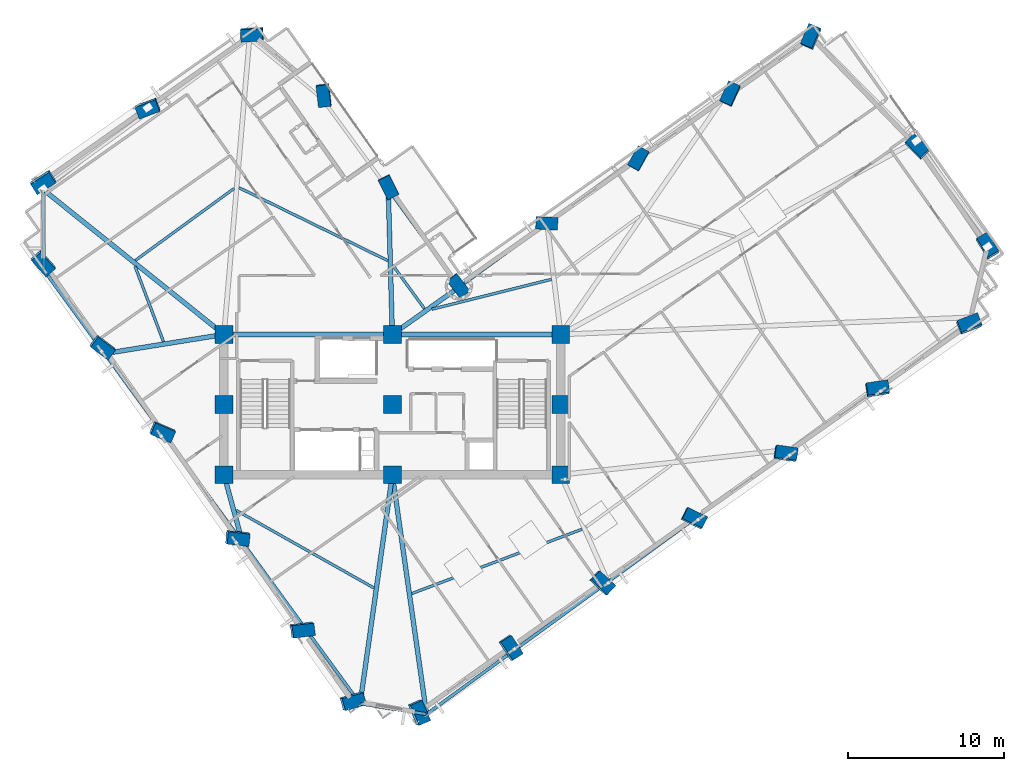
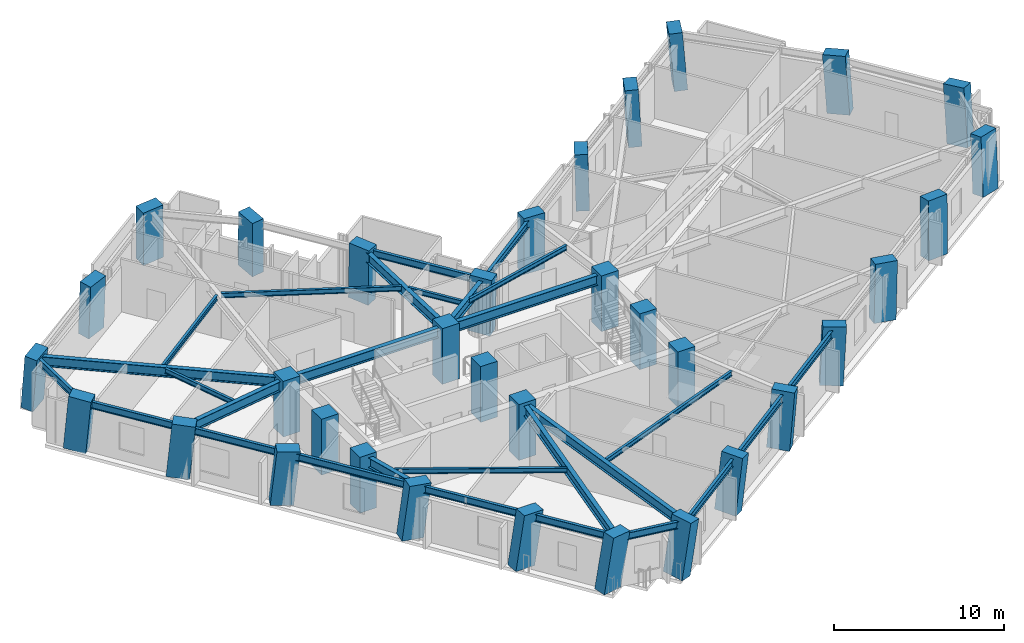
# One storey, part 1 of 13: 34 columns, 28 beams.
"""IFC4 building model written with IfcOpenShell, lengths in metres."""

import ifcopenshell
import ifcopenshell.guid

model = None  # the IFC model being written
_history = None  # IfcOwnerHistory: only IFC2X3 demands one
_inside = {}  # id of a spatial element -> (the spatial element, [elements in it])
_under = {}  # id of a project, library or spatial element -> (it, [spatial elements below it])
_declared = {}  # id of a project -> (the project, [libraries it declares])
_typed = {}  # id of a type object -> (the type object, [elements of that type])
_made_of = {}  # id of a material, layer set ... -> (it, [elements and type objects made of it])


def new_model(schema):
    """Start an empty IFC model of exactly this schema.

    Asked for "IFC4X3", IfcOpenShell would pick the latest addendum, in which some entities
    have other attributes; the version numbers below select the first issue.
    IFC2X3 requires an IfcOwnerHistory on every rooted entity: one is made here for all.
    """
    global model, _history
    if schema == "IFC4X3":
        model = ifcopenshell.file(schema_version=(4, 3, 0, 0))
    else:
        model = ifcopenshell.file(schema=schema)
    _inside.clear()
    _under.clear()
    _declared.clear()
    _typed.clear()
    _made_of.clear()
    _history = None
    if model.schema == "IFC2X3":
        org = make("IfcOrganization", Name="unknown")
        user = make(
            "IfcPersonAndOrganization",
            ThePerson=make("IfcPerson", FamilyName="unknown"),
            TheOrganization=org,
        )
        app = make(
            "IfcApplication",
            ApplicationDeveloper=org,
            Version="unknown",
            ApplicationFullName="unknown",
            ApplicationIdentifier="unknown",
        )
        _history = make(
            "IfcOwnerHistory",
            OwningUser=user,
            OwningApplication=app,
            ChangeAction="ADDED",
            CreationDate=0,
        )
    return model


def make(cls, **values):
    """One entity of the class cls with the attributes given. An attribute that is None is left unset."""
    return model.create_entity(
        cls, **{name: value for name, value in values.items() if value is not None}
    )


def rooted(cls, **values):
    """An entity with a GlobalId (a new one), such as an element, a storey or a relation."""
    return make(cls, GlobalId=ifcopenshell.guid.new(), OwnerHistory=_history, **values)


def si_unit(unit_type, name, prefix=None):
    """IfcSIUnit, for example si_unit("LENGTHUNIT", "METRE", prefix="MILLI")."""
    return make("IfcSIUnit", UnitType=unit_type, Prefix=prefix, Name=name)


def assignment(units):
    """IfcUnitAssignment: the units of a project."""
    return None if units is None else make("IfcUnitAssignment", Units=units)


def point(xyz):
    """IfcCartesianPoint."""
    return None if xyz is None else make("IfcCartesianPoint", Coordinates=xyz)


def direction(xyz):
    """IfcDirection."""
    return None if xyz is None else make("IfcDirection", DirectionRatios=xyz)


def frame(location, z_axis=None, x_axis=None):
    """IfcAxis2Placement3D, a coordinate frame: its origin and axes. An axis left out is left unset."""
    return make(
        "IfcAxis2Placement3D",
        Location=point(location),
        Axis=direction(z_axis),
        RefDirection=direction(x_axis),
    )


def frame_2d(location, x_axis=None):
    """IfcAxis2Placement2D, a coordinate frame in the plane: its origin and x axis."""
    return make(
        "IfcAxis2Placement2D", Location=point(location), RefDirection=direction(x_axis)
    )


def origin():
    """The frame at (0, 0, 0) with its axes left unset."""
    return frame((0.0, 0.0, 0.0))


def origin_2d():
    """The frame at (0, 0) in the plane with its x axis left unset."""
    return frame_2d((0.0, 0.0))


def place(relative_to, where):
    """IfcLocalPlacement: puts the frame where relative to a parent placement (None: the world)."""
    return make(
        "IfcLocalPlacement", PlacementRelTo=relative_to, RelativePlacement=where
    )


def context(
    kind, dimensions, precision=None, world=None, true_north=None, identifier=None
):
    """IfcGeometricRepresentationContext, for example the 3D "Model" context."""
    return make(
        "IfcGeometricRepresentationContext",
        ContextIdentifier=identifier,
        ContextType=kind,
        CoordinateSpaceDimension=dimensions,
        Precision=precision,
        WorldCoordinateSystem=world,
        TrueNorth=true_north,
    )


def subcontext(parent, identifier, kind, view, scale=None):
    """IfcGeometricRepresentationSubContext, for example "Body" below "Model"."""
    return make(
        "IfcGeometricRepresentationSubContext",
        ContextIdentifier=identifier,
        ContextType=kind,
        ParentContext=parent,
        TargetScale=scale,
        TargetView=view,
    )


def project(units=None, contexts=None):
    """IfcProject with its units and contexts."""
    return rooted(
        "IfcProject",
        Name="project",
        RepresentationContexts=contexts,
        UnitsInContext=assignment(units),
    )


def spatial(cls, under=None, at=None, **own):
    """A site, building, storey or space (cls), placed at a placement, below another one or the project."""
    s = rooted(cls, ObjectPlacement=at, **own)
    if under is not None:
        _under.setdefault(under.id(), (under, []))[1].append(s)
    return s


def profile(cls, at=None, kind="AREA", **sizes):
    """A parametric profile (cls). Its sizes go by their IFC names, for example OverallWidth=200.0."""
    return make(cls, ProfileType=kind, Position=at, **sizes)


def rectangle(**sizes):
    """IfcRectangleProfileDef."""
    return profile("IfcRectangleProfileDef", **sizes)


def i_section(**sizes):
    """IfcIShapeProfileDef."""
    return profile("IfcIShapeProfileDef", **sizes)


def extrude(swept, where, along, depth):
    """IfcExtrudedAreaSolid: the profile swept, set in the frame where, extruded along a direction by depth."""
    return make(
        "IfcExtrudedAreaSolid",
        SweptArea=swept,
        Position=where,
        ExtrudedDirection=direction(along),
        Depth=depth,
    )


def shape(context_of_items, identifier, shape_type, items):
    """IfcShapeRepresentation: the items that make up one representation, for example the "Body"."""
    return make(
        "IfcShapeRepresentation",
        ContextOfItems=context_of_items,
        RepresentationIdentifier=identifier,
        RepresentationType=shape_type,
        Items=items,
    )


def material(Name=None, Category=None):
    """IfcMaterial."""
    return make("IfcMaterial", Name=Name, Category=Category)


def material_profile(
    of_material, cross_section, Name=None, Category=None, Priority=None
):
    """IfcMaterialProfile: a cross section and its material."""
    return make(
        "IfcMaterialProfile",
        Name=Name,
        Material=of_material,
        Profile=cross_section,
        Priority=Priority,
        Category=Category,
    )


def profile_set(profiles, Name=None, composite=None):
    """IfcMaterialProfileSet."""
    return make(
        "IfcMaterialProfileSet",
        Name=Name,
        MaterialProfiles=profiles,
        CompositeProfile=composite,
    )


def made_of(thing, what):
    """Note that an element or type object is made of a material, layer set ...; save() writes the relation."""
    if what is not None:
        _made_of.setdefault(what.id(), (what, []))[1].append(thing)
    return thing


def type_object(cls, material=None, **own):
    """A type object (cls), such as IfcWallType, which elements share."""
    return made_of(rooted(cls, **own), material)


def element(
    cls,
    number,
    at=None,
    inside=None,
    cuts=None,
    type_object=None,
    material=None,
    context=None,
    identifier="Body",
    shape_type=None,
    held_by="IfcProductDefinitionShape",
    body=None,
    shapes=None,
    **own,
):
    """One element of the class cls, such as IfcWall. Its Tag is "e" and its number.

    at: its placement. inside: the storey or other place that contains it. cuts: it is an
    opening in that element (IfcRelVoidsElement). A single representation is given by context,
    identifier, shape_type and body (its items); several are given by shapes. held_by: the class
    of the entity that holds the representations. save() writes the other relations.
    """
    e = rooted(cls, Tag="e%d" % number, ObjectPlacement=at, **own)
    if body is not None:
        shapes = [shape(context, identifier, shape_type, body)]
    if shapes is not None:
        e.Representation = make(held_by, Representations=shapes)
    if inside is not None:
        _inside.setdefault(inside.id(), (inside, []))[1].append(e)
    if cuts is not None:
        rooted(
            "IfcRelVoidsElement", RelatingBuildingElement=cuts, RelatedOpeningElement=e
        )
    if type_object is not None:
        _typed.setdefault(type_object.id(), (type_object, []))[1].append(e)
    return made_of(e, material)


def aggregate(whole, parts):
    """IfcRelAggregates: a whole, such as a stair, and the parts it consists of."""
    return rooted("IfcRelAggregates", RelatingObject=whole, RelatedObjects=parts)


def save(model, path):
    """Write the relations noted so far, then the file.

    IfcRelAggregates (storeys below a building ...), IfcRelContainedInSpatialStructure (elements
    in a storey), IfcRelDefinesByType, IfcRelAssociatesMaterial and IfcRelDeclares: one each for
    every whole, place, type object, material and project.
    """
    for whole, parts in _under.values():
        aggregate(whole, parts)
    for where, things in _inside.values():
        rooted(
            "IfcRelContainedInSpatialStructure",
            RelatedElements=things,
            RelatingStructure=where,
        )
    for kind, things in _typed.values():
        rooted("IfcRelDefinesByType", RelatedObjects=things, RelatingType=kind)
    for what, things in _made_of.values():
        rooted("IfcRelAssociatesMaterial", RelatedObjects=things, RelatingMaterial=what)
    for by, libraries in _declared.values():
        rooted("IfcRelDeclares", RelatingContext=by, RelatedDefinitions=libraries)
    model.write(path)


model = new_model("IFC4")

# Units and contexts
model_context = context("Model", 3, precision=1e-05, world=origin(), true_north=direction((0.0, 1.0)))
body_context = subcontext(model_context, "Body", "Model", "MODEL_VIEW")
ifc_project = project(units=[si_unit("LENGTHUNIT", "METRE"), si_unit("AREAUNIT", "SQUARE_METRE"), si_unit("VOLUMEUNIT", "CUBIC_METRE"), si_unit("PLANEANGLEUNIT", "RADIAN"), si_unit("MASSUNIT", "GRAM", prefix="KILO")], contexts=[model_context])

# Site, building, storey
site_placement = place(None, origin())
site = spatial("IfcSite", under=ifc_project, at=site_placement, CompositionType="ELEMENT")
building_placement = place(site_placement, origin())
building = spatial("IfcBuilding", under=site, at=building_placement, Name="Gaonmaruhae Medical Tower", CompositionType="ELEMENT")
storey_placement = place(building_placement, frame((0.0, 0.0, 173.800048828125)))
storey = spatial("IfcBuildingStorey", under=building, at=storey_placement, Name="L41", CompositionType="ELEMENT", Elevation=173.800048828125)

# Columns
ifc_material_1 = material(Name="Concrete C50/60", Category="concrete")
ifc_material_profile_1 = material_profile(ifc_material_1, rectangle(XDim=1.14990234375, YDim=1.14990234375, at=origin_2d()), Name="RC-1150x1150")
ifc_profile_set_1 = profile_set([ifc_material_profile_1], Name="Concrete C50/60")
column_type_1 = type_object("IfcColumnType", Name="CC-04 Zone 3 Core Column (RC-1150x1150)", PredefinedType="COLUMN", material=ifc_profile_set_1)
for number, where, z_axis, x_axis, name in (
    (1, (14.0, 7.800048828125, 0.0), (0.0, 0.0, 1.0), (1.0, 0.0, 0.0), "L41 Plumb Core Column CC11"),
    (2, (14.0, 12.300048828125, 0.0), (0.0, 0.0, 1.0), (1.0, 0.0, 0.0), "L41 Plumb Core Column CC12"),
    (3, (14.0, 16.800048828125, 0.0), (0.0, 0.0, 1.0), (1.0, 0.0, 0.0), "L41 Plumb Core Column CC13"),
    (4, (24.800048828125, 7.800048828125, 0.0), (0.0, 0.0, 1.0), (1.0, 0.0, 0.0), "L41 Plumb Core Column CC21"),
    (5, (24.800048828125, 12.300048828125, 0.0), (0.0, 0.0, 1.0), (1.0, 0.0, 0.0), "L41 Plumb Core Column CC22"),
    (6, (24.800048828125, 16.800048828125, 0.0), (0.0, 0.0, 1.0), (1.0, 0.0, 0.0), "L41 Plumb Core Column CC23"),
    (7, (35.60009765625, 7.800048828125, 0.0), (0.0, 0.0, 1.0), (1.0, 0.0, 0.0), "L41 Plumb Core Column CC31"),
    (8, (35.60009765625, 12.300048828125, 0.0), (0.0, 0.0, 1.0), (1.0, 0.0, 0.0), "L41 Plumb Core Column CC32"),
    (9, (35.60009765625, 16.800048828125, 0.0), (0.0, 0.0, 1.0), (1.0, 0.0, 0.0), "L41 Plumb Core Column CC33"),
):
    element("IfcColumn", number, at=place(storey_placement, frame(where, z_axis=z_axis, x_axis=x_axis)), inside=storey, type_object=column_type_1, Name=name, PredefinedType="COLUMN", context=body_context, shape_type="SweptSolid", body=[
        extrude(rectangle(XDim=1.14990234375, YDim=1.14990234375, at=origin_2d()), origin(), (0.0, 0.0, 1.0), 4.0),
    ])
ifc_material_2 = material(Name="Concrete C60/75", Category="concrete")
ifc_material_profile_2 = material_profile(ifc_material_2, rectangle(XDim=1.39990234375, YDim=0.800048828125, at=origin_2d()), Name="RC-1400x800")
ifc_profile_set_2 = profile_set([ifc_material_profile_2], Name="Concrete C60/75")
column_type_2 = type_object("IfcColumnType", Name="TC-02 Mid Raking Tube Pier Column (RC-1400x800)", PredefinedType="COLUMN", material=ifc_profile_set_2)
column_1_placement = place(storey_placement, frame((26.45947265625, -7.440185546875, 0.001708984375), z_axis=(0.132614404743, -0.028266055233, 0.990764578382), x_axis=(-0.38742207787, 0.918591421345, 0.078063654859)))
element("IfcColumn", 10, at=column_1_placement, inside=storey, type_object=column_type_2, Name="L41 Perimeter Tube Column S01", PredefinedType="COLUMN", context=body_context, shape_type="SweptSolid", body=[
    extrude(rectangle(XDim=1.39990234375, YDim=0.800048828125, at=origin_2d()), origin(), (0.0, 0.0, 1.0), 4.03369140625),
])
column_2_placement = place(storey_placement, frame((32.346435546875, -3.294921875, 0.001708984375), z_axis=(0.11571701856, -0.004247609491, 0.993273139388), x_axis=(-0.541468274611, 0.838073885902, 0.066665353516)))
element("IfcColumn", 11, at=column_2_placement, inside=storey, type_object=column_type_2, Name="L41 Perimeter Tube Column S02", PredefinedType="COLUMN", context=body_context, shape_type="SweptSolid", body=[
    extrude(rectangle(XDim=1.39990234375, YDim=0.800048828125, at=origin_2d()), origin(), (0.0, 0.0, 1.0), 4.0234375),
])
column_3_placement = place(storey_placement, frame((38.2333984375, 0.85009765625, 0.001708984375), z_axis=(0.098647418268, 0.01993613875, 0.994922729281), x_axis=(-0.723413215701, 0.687979735835, 0.057941370623)))
element("IfcColumn", 12, at=column_3_placement, inside=storey, type_object=column_type_2, Name="L41 Perimeter Tube Column S03", PredefinedType="COLUMN", context=body_context, shape_type="SweptSolid", body=[
    extrude(rectangle(XDim=1.39990234375, YDim=0.800048828125, at=origin_2d()), origin(), (0.0, 0.0, 1.0), 4.016845703125),
])
column_4_placement = place(storey_placement, frame((44.120361328125, 4.995361328125, 0.001708984375), z_axis=(0.081388904542, 0.044100863821, 0.99570626192), x_axis=(-0.893547683175, 0.445794021134, 0.053293795269)))
element("IfcColumn", 13, at=column_4_placement, inside=storey, type_object=column_type_2, Name="L41 Perimeter Tube Column S04", PredefinedType="COLUMN", context=body_context, shape_type="SweptSolid", body=[
    extrude(rectangle(XDim=1.39990234375, YDim=0.800048828125, at=origin_2d()), origin(), (0.0, 0.0, 1.0), 4.013671875),
])
column_5_placement = place(storey_placement, frame((50.007568359375, 9.140625, 0.001708984375), z_axis=(0.064046562538, 0.068243345838, 0.99561080929), x_axis=(-0.988458606435, 0.14158514562, 0.053881628639)))
element("IfcColumn", 14, at=column_5_placement, inside=storey, type_object=column_type_2, Name="L41 Perimeter Tube Column S05", PredefinedType="COLUMN", context=body_context, shape_type="SweptSolid", body=[
    extrude(rectangle(XDim=1.39990234375, YDim=0.800048828125, at=origin_2d()), origin(), (0.0, 0.0, 1.0), 4.013916015625),
])
column_6_placement = place(storey_placement, frame((55.89453125, 13.285888671875, 0.001708984375), z_axis=(0.046726970601, 0.092299438677, 0.994634306586), x_axis=(-0.988133036877, -0.141582839923, 0.059560061042)))
element("IfcColumn", 15, at=column_6_placement, inside=storey, type_object=column_type_2, Name="L41 Perimeter Tube Column S06", PredefinedType="COLUMN", context=body_context, shape_type="SweptSolid", body=[
    extrude(rectangle(XDim=1.39990234375, YDim=0.800048828125, at=origin_2d()), origin(), (0.0, 0.0, 1.0), 4.017822265625),
])
column_7_placement = place(storey_placement, frame((61.781494140625, 17.43115234375, 0.001708984375), z_axis=(0.029354934383, 0.116206723713, 0.992791158901), x_axis=(-0.932731987806, -0.353906045006, 0.069003987069)))
element("IfcColumn", 16, at=column_7_placement, inside=storey, type_object=column_type_2, Name="L41 Perimeter Tube Column S07", PredefinedType="COLUMN", context=body_context, shape_type="SweptSolid", body=[
    extrude(rectangle(XDim=1.39990234375, YDim=0.800048828125, at=origin_2d()), origin(), (0.0, 0.0, 1.0), 4.025390625),
])
column_8_placement = place(storey_placement, frame((62.971923828125, 22.427490234375, 0.001708984375), z_axis=(0.00879280202, 0.120976827791, 0.992616388022), x_axis=(0.515370311982, -0.851209314245, 0.099177340502)))
element("IfcColumn", 17, at=column_8_placement, inside=storey, type_object=column_type_2, Name="L41 Perimeter Tube Column E01", PredefinedType="COLUMN", context=body_context, shape_type="SweptSolid", body=[
    extrude(rectangle(XDim=1.39990234375, YDim=0.800048828125, at=origin_2d()), origin(), (0.0, 0.0, 1.0), 4.026123046875),
])
column_9_placement = place(storey_placement, frame((58.4814453125, 28.80517578125, 0.001708984375), z_axis=(-0.017377477676, 0.102442053714, 0.994587175114), x_axis=(0.703616146973, -0.705483127216, 0.084958077495)))
element("IfcColumn", 18, at=column_9_placement, inside=storey, type_object=column_type_2, Name="L41 Perimeter Tube Column E02", PredefinedType="COLUMN", context=body_context, shape_type="SweptSolid", body=[
    extrude(rectangle(XDim=1.39990234375, YDim=0.800048828125, at=origin_2d()), origin(), (0.0, 0.0, 1.0), 4.01806640625),
])
column_10_placement = place(storey_placement, frame((51.67041015625, 35.872802734375, 0.001708984375), z_axis=(-0.046372709231, 0.074245020029, 0.996161256444), x_axis=(-0.389675727711, -0.919572177805, 0.05039679592)))
element("IfcColumn", 19, at=column_10_placement, inside=storey, type_object=column_type_2, Name="L41 Perimeter Tube Column E03", PredefinedType="COLUMN", context=body_context, shape_type="SweptSolid", body=[
    extrude(rectangle(XDim=1.39990234375, YDim=0.800048828125, at=origin_2d()), origin(), (0.0, 0.0, 1.0), 4.01171875),
])
column_11_placement = place(storey_placement, frame((46.478271484375, 32.216796875, 0.001708984375), z_axis=(-0.031097493858, 0.053048665992, 0.998107601871), x_axis=(-0.414781591136, -0.90923206001, 0.035401874319)))
element("IfcColumn", 20, at=column_11_placement, inside=storey, type_object=column_type_2, Name="L41 Perimeter Tube Column EN01", PredefinedType="COLUMN", context=body_context, shape_type="SweptSolid", body=[
    extrude(rectangle(XDim=1.39990234375, YDim=0.800048828125, at=origin_2d()), origin(), (0.0, 0.0, 1.0), 4.00390625),
])
column_12_placement = place(storey_placement, frame((40.59130859375, 28.07177734375, 0.001708984375), z_axis=(-0.013799535315, 0.028820268446, 0.999489352095), x_axis=(-0.488965468419, -0.872109136637, 0.018396317223)))
element("IfcColumn", 21, at=column_12_placement, inside=storey, type_object=column_type_2, Name="L41 Perimeter Tube Column EN02", PredefinedType="COLUMN", context=body_context, shape_type="SweptSolid", body=[
    extrude(rectangle(XDim=1.39990234375, YDim=0.800048828125, at=origin_2d()), origin(), (0.0, 0.0, 1.0), 3.998291015625),
])
column_13_placement = place(storey_placement, frame((34.704345703125, 23.926513671875, 0.001708984375), z_axis=(0.003543223601, 0.004581754657, 0.999983226405), x_axis=(-0.998991423752, 0.044777405776, 0.003334546835)))
element("IfcColumn", 22, at=column_13_placement, inside=storey, type_object=column_type_2, Name="L41 Perimeter Tube Column EN03", PredefinedType="COLUMN", context=body_context, shape_type="SweptSolid", body=[
    extrude(rectangle(XDim=1.39990234375, YDim=0.800048828125, at=origin_2d()), origin(), (0.0, 0.0, 1.0), 3.996337890625),
])
column_14_placement = place(storey_placement, frame((29.021728515625, 19.92529296875, 0.001708984375), z_axis=(0.020335525631, -0.018808834518, 0.999616273448), x_axis=(-0.606869387949, 0.794332861658, 0.027291955989)))
element("IfcColumn", 23, at=column_14_placement, inside=storey, type_object=column_type_2, Name="L41 Perimeter Tube Column KN01", PredefinedType="COLUMN", context=body_context, shape_type="SweptSolid", body=[
    extrude(rectangle(XDim=1.39990234375, YDim=0.800048828125, at=origin_2d()), origin(), (0.0, 0.0, 1.0), 3.997802734375),
])
column_15_placement = place(storey_placement, frame((24.559814453125, 26.261962890625, 0.001708984375), z_axis=(-0.005738432057, -0.037482949817, 0.999280790804), x_axis=(-0.445441829309, 0.894773866019, 0.031004925272)))
element("IfcColumn", 24, at=column_15_placement, inside=storey, type_object=column_type_2, Name="L41 Perimeter Tube Column NE01", PredefinedType="COLUMN", context=body_context, shape_type="SweptSolid", body=[
    extrude(rectangle(XDim=1.39990234375, YDim=0.800048828125, at=origin_2d()), origin(), (0.0, 0.0, 1.0), 3.999267578125),
])
column_16_placement = place(storey_placement, frame((20.41455078125, 32.14892578125, 0.001708984375), z_axis=(-0.029937163226, -0.054813665459, 0.998047708447), x_axis=(-0.114112157003, 0.992154506101, 0.051067128835)))
element("IfcColumn", 25, at=column_16_placement, inside=storey, type_object=column_type_2, Name="L41 Perimeter Tube Column NE02", PredefinedType="COLUMN", context=body_context, shape_type="SweptSolid", body=[
    extrude(rectangle(XDim=1.39990234375, YDim=0.800048828125, at=origin_2d()), origin(), (0.0, 0.0, 1.0), 4.004150390625),
])
column_17_placement = place(storey_placement, frame((15.820068359375, 36.068603515625, 0.001708984375), z_axis=(-0.045888334472, -0.073823010231, 0.996215049033), x_axis=(0.997206534803, 0.055450999468, 0.050043117453)))
element("IfcColumn", 26, at=column_17_placement, inside=storey, type_object=column_type_2, Name="L41 Perimeter Tube Column N01", PredefinedType="COLUMN", context=body_context, shape_type="SweptSolid", body=[
    extrude(rectangle(XDim=1.39990234375, YDim=0.800048828125, at=origin_2d()), origin(), (0.0, 0.0, 1.0), 4.011474609375),
])
column_18_placement = place(storey_placement, frame((9.115478515625, 31.34765625, 0.001708984375), z_axis=(-0.026186113544, -0.101159812183, 0.99452550488), x_axis=(0.935042033919, 0.349395563353, 0.060159247944)))
element("IfcColumn", 27, at=column_18_placement, inside=storey, type_object=column_type_2, Name="L41 Perimeter Tube Column N02", PredefinedType="COLUMN", context=body_context, shape_type="SweptSolid", body=[
    extrude(rectangle(XDim=1.39990234375, YDim=0.800048828125, at=origin_2d()), origin(), (0.0, 0.0, 1.0), 4.018310546875),
])
column_19_placement = place(storey_placement, frame((2.410888671875, 26.626708984375, 0.001708984375), z_axis=(-0.006482618954, -0.12825891894, 0.991719529587), x_axis=(0.845426180115, 0.528950032899, 0.07393535469)))
element("IfcColumn", 28, at=column_19_placement, inside=storey, type_object=column_type_2, Name="L41 Perimeter Tube Column N03", PredefinedType="COLUMN", context=body_context, shape_type="SweptSolid", body=[
    extrude(rectangle(XDim=1.39990234375, YDim=0.800048828125, at=origin_2d()), origin(), (0.0, 0.0, 1.0), 4.02978515625),
])
column_20_placement = place(storey_placement, frame((2.40478515625, 21.424560546875, 0.001708984375), z_axis=(0.014902854582, -0.128128200983, 0.991645636827), x_axis=(-0.665540007245, 0.738872506532, 0.105469985527)))
element("IfcColumn", 29, at=column_20_placement, inside=storey, type_object=column_type_2, Name="L41 Perimeter Tube Column W01", PredefinedType="COLUMN", context=body_context, shape_type="SweptSolid", body=[
    extrude(rectangle(XDim=1.39990234375, YDim=0.800048828125, at=origin_2d()), origin(), (0.0, 0.0, 1.0), 4.030029296875),
])
column_21_placement = place(storey_placement, frame((6.204345703125, 16.028076171875, 0.001708984375), z_axis=(0.037064026692, -0.112465966428, 0.992964080076), x_axis=(-0.800913109409, 0.590900661619, 0.096822514295)))
element("IfcColumn", 30, at=column_21_placement, inside=storey, type_object=column_type_2, Name="L41 Perimeter Tube Column W02", PredefinedType="COLUMN", context=body_context, shape_type="SweptSolid", body=[
    extrude(rectangle(XDim=1.39990234375, YDim=0.800048828125, at=origin_2d()), origin(), (0.0, 0.0, 1.0), 4.024658203125),
])
column_22_placement = place(storey_placement, frame((10.032958984375, 10.5908203125, 0.001708984375), z_axis=(0.059361981689, -0.096569440559, 0.993554476755), x_axis=(-0.915889100043, 0.390585013166, 0.092684971335)))
element("IfcColumn", 31, at=column_22_placement, inside=storey, type_object=column_type_2, Name="L41 Perimeter Tube Column W03", PredefinedType="COLUMN", context=body_context, shape_type="SweptSolid", body=[
    extrude(rectangle(XDim=1.39990234375, YDim=0.800048828125, at=origin_2d()), origin(), (0.0, 0.0, 1.0), 4.022216796875),
])
column_23_placement = place(storey_placement, frame((14.84033203125, 3.763427734375, 0.001708984375), z_axis=(0.087255397934, -0.076515338522, 0.993243121548), x_axis=(-0.990187937377, 0.102585483116, 0.094889764076)))
element("IfcColumn", 32, at=column_23_placement, inside=storey, type_object=column_type_2, Name="L41 Perimeter Tube Column W04", PredefinedType="COLUMN", context=body_context, shape_type="SweptSolid", body=[
    extrude(rectangle(XDim=1.39990234375, YDim=0.800048828125, at=origin_2d()), origin(), (0.0, 0.0, 1.0), 4.0234375),
])
column_24_placement = place(storey_placement, frame((18.985595703125, -2.12353515625, 0.001708984375), z_axis=(0.111208870774, -0.059210390598, 0.992031610739), x_axis=(-0.986541971769, -0.126975950572, 0.103014784928)))
element("IfcColumn", 33, at=column_24_placement, inside=storey, type_object=column_type_2, Name="L41 Perimeter Tube Column W05", PredefinedType="COLUMN", context=body_context, shape_type="SweptSolid", body=[
    extrude(rectangle(XDim=1.39990234375, YDim=0.800048828125, at=origin_2d()), origin(), (0.0, 0.0, 1.0), 4.0283203125),
])
column_25_placement = place(storey_placement, frame((22.209716796875, -6.702392578125, 0.001708984375), z_axis=(0.129674936923, -0.045685757059, 0.990503519598), x_axis=(-0.955168919814, -0.273888531029, 0.112416222997)))
element("IfcColumn", 34, at=column_25_placement, inside=storey, type_object=column_type_2, Name="L41 Perimeter Tube Column W06", PredefinedType="COLUMN", context=body_context, shape_type="SweptSolid", body=[
    extrude(rectangle(XDim=1.39990234375, YDim=0.800048828125, at=origin_2d()), origin(), (0.0, 0.0, 1.0), 4.03466796875),
])

# Beams
ifc_material_3 = material(Name="Steel SM355", Category="steel")
ifc_material_profile_3 = material_profile(ifc_material_3, i_section(OverallWidth=0.175048828125, OverallDepth=0.35009765625, WebThickness=0.007080078125, FlangeThickness=0.010986328125, FilletRadius=0.012939453125, at=origin_2d()), Name="H-350x175x7x11")
ifc_profile_set_3 = profile_set([ifc_material_profile_3], Name="Steel SM355")
beam_type_1 = type_object("IfcBeamType", Name="FJ-02 Upper Zone Ward Floor Joist (H-350x175x7x11)", PredefinedType="JOIST", material=ifc_profile_set_3)
beam_1_placement = place(storey_placement, frame((26.046630859375, 0.179443359375, 3.60498046875), z_axis=(0.93535207745, 0.353718095677, 0.0), x_axis=(-0.353718095677, 0.93535207745, 0.0)))
element("IfcBeam", 35, at=beam_1_placement, inside=storey, type_object=beam_type_1, Name="L41 Secondary Floor Joist FJ01", PredefinedType="JOIST", context=body_context, shape_type="SweptSolid", body=[
    extrude(i_section(OverallWidth=0.175048828125, OverallDepth=0.35009765625, WebThickness=0.007080078125, FlangeThickness=0.010986328125, FilletRadius=0.012939453125, at=origin_2d()), origin(), (0.0, 0.0, 1.0), 11.677001953125),
])
beam_2_placement = place(storey_placement, frame((35.0068359375, 20.33447265625, 3.60498046875), z_axis=(-0.970262338839, -0.242055765953, 0.0), x_axis=(0.242055765953, -0.970262338839, 0.0)))
element("IfcBeam", 36, at=beam_2_placement, inside=storey, type_object=beam_type_1, Name="L41 Secondary Floor Joist FJ07", PredefinedType="JOIST", context=body_context, shape_type="SweptSolid", body=[
    extrude(i_section(OverallWidth=0.175048828125, OverallDepth=0.35009765625, WebThickness=0.007080078125, FlangeThickness=0.010986328125, FilletRadius=0.012939453125, at=origin_2d()), origin(), (0.0, 0.0, 1.0), 7.9013671875),
])
beam_3_placement = place(storey_placement, frame((26.859619140625, 18.450927734375, 3.60498046875), z_axis=(-0.589160600818, 0.8080159568, 0.0), x_axis=(-0.8080159568, -0.589160600818, 0.0)))
element("IfcBeam", 37, at=beam_3_placement, inside=storey, type_object=beam_type_1, Name="L41 Secondary Floor Joist FJ08", PredefinedType="JOIST", context=body_context, shape_type="SweptSolid", body=[
    extrude(i_section(OverallWidth=0.175048828125, OverallDepth=0.35009765625, WebThickness=0.007080078125, FlangeThickness=0.010986328125, FilletRadius=0.012939453125, at=origin_2d()), origin(), (0.0, 0.0, 1.0), 3.447998046875),
])
beam_4_placement = place(storey_placement, frame((24.5107421875, 21.533203125, 3.60498046875), z_axis=(-0.897864286374, 0.440272328513, 0.0), x_axis=(-0.440272328513, -0.897864286374, 0.0)))
element("IfcBeam", 38, at=beam_4_placement, inside=storey, type_object=beam_type_1, Name="L41 Secondary Floor Joist FJ09", PredefinedType="JOIST", context=body_context, shape_type="SweptSolid", body=[
    extrude(i_section(OverallWidth=0.175048828125, OverallDepth=0.35009765625, WebThickness=0.007080078125, FlangeThickness=0.010986328125, FilletRadius=0.012939453125, at=origin_2d()), origin(), (0.0, 0.0, 1.0), 10.62841796875),
])
beam_5_placement = place(storey_placement, frame((14.65234375, 26.16552734375, 3.60498046875), z_axis=(-0.807983420611, -0.58920522063, 0.0), x_axis=(0.58920522063, -0.807983420611, 0.0)))
element("IfcBeam", 39, at=beam_5_placement, inside=storey, type_object=beam_type_1, Name="L41 Secondary Floor Joist FJ10", PredefinedType="JOIST", context=body_context, shape_type="SweptSolid", body=[
    extrude(i_section(OverallWidth=0.175048828125, OverallDepth=0.35009765625, WebThickness=0.007080078125, FlangeThickness=0.010986328125, FilletRadius=0.012939453125, at=origin_2d()), origin(), (0.0, 0.0, 1.0), 7.833740234375),
])
beam_6_placement = place(storey_placement, frame((8.29833984375, 21.173828125, 3.60498046875), z_axis=(0.352520524291, -0.935804082035, 0.0), x_axis=(0.935804082035, 0.352520524291, 0.0)))
element("IfcBeam", 40, at=beam_6_placement, inside=storey, type_object=beam_type_1, Name="L41 Secondary Floor Joist FJ11", PredefinedType="JOIST", context=body_context, shape_type="SweptSolid", body=[
    extrude(i_section(OverallWidth=0.175048828125, OverallDepth=0.35009765625, WebThickness=0.007080078125, FlangeThickness=0.010986328125, FilletRadius=0.012939453125, at=origin_2d()), origin(), (0.0, 0.0, 1.0), 5.169189453125),
])
beam_7_placement = place(storey_placement, frame((14.784912109375, 5.52099609375, 3.60498046875), z_axis=(0.871066656347, -0.491164819792, 0.0), x_axis=(0.491164819792, 0.871066656347, 0.0)))
element("IfcBeam", 41, at=beam_7_placement, inside=storey, type_object=beam_type_1, Name="L41 Secondary Floor Joist FJ13", PredefinedType="JOIST", context=body_context, shape_type="SweptSolid", body=[
    extrude(i_section(OverallWidth=0.175048828125, OverallDepth=0.35009765625, WebThickness=0.007080078125, FlangeThickness=0.010986328125, FilletRadius=0.012939453125, at=origin_2d()), origin(), (0.0, 0.0, 1.0), 10.14404296875),
])
ifc_material_4 = material(Name="Steel SM420", Category="steel")
ifc_material_profile_4 = material_profile(ifc_material_4, i_section(OverallWidth=0.300048828125, OverallDepth=0.699951171875, WebThickness=0.012939453125, FlangeThickness=0.02392578125, FilletRadius=0.01806640625, at=origin_2d()), Name="H-700x300x13x24")
ifc_profile_set_4 = profile_set([ifc_material_profile_4], Name="Steel SM420")
beam_type_2 = type_object("IfcBeamType", Name="PG-03 Zone 3 Radial Floor Girder (H-700x300x13x24)", PredefinedType="BEAM", material=ifc_profile_set_4)
for number, where, z_axis, x_axis, name in (
    (42, (14.050048828125, 16.800048828125, 3.429931640625), (1.0, 0.0, 0.0), (0.0, 1.0, 0.0), "L41 Beam BM-L41-CG-N1"),
    (43, (24.85009765625, 16.800048828125, 3.429931640625), (1.0, 0.0, 0.0), (0.0, 1.0, 0.0), "L41 Beam BM-L41-CG-N2"),
):
    element("IfcBeam", number, at=place(storey_placement, frame(where, z_axis=z_axis, x_axis=x_axis)), inside=storey, type_object=beam_type_2, Name=name, PredefinedType="BEAM", context=body_context, shape_type="SweptSolid", body=[
        extrude(i_section(OverallWidth=0.300048828125, OverallDepth=0.699951171875, WebThickness=0.012939453125, FlangeThickness=0.02392578125, FilletRadius=0.01806640625, at=origin_2d()), origin(), (0.0, 0.0, 1.0), 10.699951171875),
    ])
beam_8_placement = place(storey_placement, frame((24.80712890625, 7.75048828125, 3.429931640625), z_axis=(0.141492331761, -0.989939351704, 0.0), x_axis=(0.989939351704, 0.141492331761, 0.0)))
element("IfcBeam", 44, at=beam_8_placement, inside=storey, type_object=beam_type_2, Name="L41 Radial Primary Girder S01", PredefinedType="BEAM", context=body_context, shape_type="SweptSolid", body=[
    extrude(i_section(OverallWidth=0.300048828125, OverallDepth=0.699951171875, WebThickness=0.012939453125, FlangeThickness=0.02392578125, FilletRadius=0.01806640625, at=origin_2d()), origin(), (0.0, 0.0, 1.0), 15.41015625),
])
beam_9_placement = place(storey_placement, frame((24.8408203125, 16.828857421875, 3.429931640625), z_axis=(0.815841762931, 0.578275209444, 0.0), x_axis=(-0.578275209444, 0.815841762931, 0.0)))
element("IfcBeam", 45, at=beam_9_placement, inside=storey, type_object=beam_type_2, Name="L41 Radial Primary Girder KN01", PredefinedType="BEAM", context=body_context, shape_type="SweptSolid", body=[
    extrude(i_section(OverallWidth=0.300048828125, OverallDepth=0.699951171875, WebThickness=0.012939453125, FlangeThickness=0.02392578125, FilletRadius=0.01806640625, at=origin_2d()), origin(), (0.0, 0.0, 1.0), 5.17431640625),
])
beam_10_placement = place(storey_placement, frame((24.798583984375, 16.85009765625, 3.429931640625), z_axis=(-0.028240613551, 0.999601154334, 0.0), x_axis=(-0.999601154334, -0.028240613551, 0.0)))
element("IfcBeam", 46, at=beam_10_placement, inside=storey, type_object=beam_type_2, Name="L41 Radial Primary Girder NE01", PredefinedType="BEAM", context=body_context, shape_type="SweptSolid", body=[
    extrude(i_section(OverallWidth=0.300048828125, OverallDepth=0.699951171875, WebThickness=0.012939453125, FlangeThickness=0.02392578125, FilletRadius=0.01806640625, at=origin_2d()), origin(), (0.0, 0.0, 1.0), 9.215576171875),
])
beam_11_placement = place(storey_placement, frame((13.9609375, 16.831298828125, 3.429931640625), z_axis=(-0.780294987559, 0.625411650347, 0.0), x_axis=(-0.625411650347, -0.780294987559, 0.0)))
element("IfcBeam", 47, at=beam_11_placement, inside=storey, type_object=beam_type_2, Name="L41 Radial Primary Girder N03", PredefinedType="BEAM", context=body_context, shape_type="SweptSolid", body=[
    extrude(i_section(OverallWidth=0.300048828125, OverallDepth=0.699951171875, WebThickness=0.012939453125, FlangeThickness=0.02392578125, FilletRadius=0.01806640625, at=origin_2d()), origin(), (0.0, 0.0, 1.0), 14.78564453125),
])
beam_12_placement = place(storey_placement, frame((13.95068359375, 16.7919921875, 3.429931640625), z_axis=(-0.987417700636, -0.158133755001, 0.0), x_axis=(0.158133755001, -0.987417700636, 0.0)))
element("IfcBeam", 48, at=beam_12_placement, inside=storey, type_object=beam_type_2, Name="L41 Radial Primary Girder W02", PredefinedType="BEAM", context=body_context, shape_type="SweptSolid", body=[
    extrude(i_section(OverallWidth=0.300048828125, OverallDepth=0.699951171875, WebThickness=0.012939453125, FlangeThickness=0.02392578125, FilletRadius=0.01806640625, at=origin_2d()), origin(), (0.0, 0.0, 1.0), 7.643798828125),
])
beam_13_placement = place(storey_placement, frame((14.01318359375, 7.751708984375, 3.429931640625), z_axis=(0.264486556584, -0.96438937229, 0.0), x_axis=(0.96438937229, 0.264486556584, 0.0)))
element("IfcBeam", 49, at=beam_13_placement, inside=storey, type_object=beam_type_2, Name="L41 Radial Primary Girder W04", PredefinedType="BEAM", context=body_context, shape_type="SweptSolid", body=[
    extrude(i_section(OverallWidth=0.300048828125, OverallDepth=0.699951171875, WebThickness=0.012939453125, FlangeThickness=0.02392578125, FilletRadius=0.01806640625, at=origin_2d()), origin(), (0.0, 0.0, 1.0), 4.405029296875),
])
beam_14_placement = place(storey_placement, frame((24.79296875, 7.75048828125, 3.429931640625), z_axis=(-0.139342181045, -0.990244291365, 0.0), x_axis=(0.990244291365, -0.139342181045, 0.0)))
element("IfcBeam", 50, at=beam_14_placement, inside=storey, type_object=beam_type_2, Name="L41 Radial Primary Girder W06", PredefinedType="BEAM", context=body_context, shape_type="SweptSolid", body=[
    extrude(i_section(OverallWidth=0.300048828125, OverallDepth=0.699951171875, WebThickness=0.012939453125, FlangeThickness=0.02392578125, FilletRadius=0.01806640625, at=origin_2d()), origin(), (0.0, 0.0, 1.0), 14.731689453125),
])
ifc_material_profile_5 = material_profile(ifc_material_3, i_section(OverallWidth=0.199951171875, OverallDepth=0.5, WebThickness=0.010009765625, FlangeThickness=0.01611328125, FilletRadius=0.012939453125, at=origin_2d()), Name="H-500x200x10x16")
ifc_profile_set_5 = profile_set([ifc_material_profile_5], Name="Steel SM355")
beam_type_3 = type_object("IfcBeamType", Name="SP-02 Upper Perimeter Spandrel Beam (H-500x200x10x16)", PredefinedType="SPANDREL", material=ifc_profile_set_5)
beam_15_placement = place(storey_placement, frame((27.027099609375, -7.530517578125, 3.530029296875), z_axis=(0.807980662705, 0.589209002557, 0.0), x_axis=(-0.589209002557, 0.807980662705, 0.0)))
element("IfcBeam", 51, at=beam_15_placement, inside=storey, type_object=beam_type_3, Name="L41 Perimeter Spandrel Beam S01-S02", PredefinedType="SPANDREL", context=body_context, shape_type="SweptSolid", body=[
    extrude(i_section(OverallWidth=0.199951171875, OverallDepth=0.5, WebThickness=0.010009765625, FlangeThickness=0.01611328125, FilletRadius=0.012939453125, at=origin_2d()), origin(), (0.0, 0.0, 1.0), 7.119873046875),
])
for number, where, z_axis, x_axis, name in (
    (52, (32.844482421875, -3.288330078125, 3.530029296875), (0.807992566655, 0.589192678358, 0.0), (-0.589192678358, 0.807992566655, 0.0), "L41 Perimeter Spandrel Beam S02-S03"),
    (53, (38.662109375, 0.953857421875, 3.530029296875), (0.807992566655, 0.589192678358, 0.0), (-0.589192678358, 0.807992566655, 0.0), "L41 Perimeter Spandrel Beam S03-S04"),
):
    element("IfcBeam", number, at=place(storey_placement, frame(where, z_axis=z_axis, x_axis=x_axis)), inside=storey, type_object=beam_type_3, Name=name, PredefinedType="SPANDREL", context=body_context, shape_type="SweptSolid", body=[
        extrude(i_section(OverallWidth=0.199951171875, OverallDepth=0.5, WebThickness=0.010009765625, FlangeThickness=0.01611328125, FilletRadius=0.012939453125, at=origin_2d()), origin(), (0.0, 0.0, 1.0), 7.1201171875),
    ])
beam_16_placement = place(storey_placement, frame((34.686279296875, 23.92138671875, 3.530029296875), z_axis=(-0.807979332962, -0.589210826026, 0.0), x_axis=(0.589210826026, -0.807979332962, 0.0)))
element("IfcBeam", 54, at=beam_16_placement, inside=storey, type_object=beam_type_3, Name="L41 Perimeter Spandrel Beam EN03-KN01", PredefinedType="SPANDREL", context=body_context, shape_type="SweptSolid", body=[
    extrude(i_section(OverallWidth=0.199951171875, OverallDepth=0.5, WebThickness=0.010009765625, FlangeThickness=0.01611328125, FilletRadius=0.012939453125, at=origin_2d()), origin(), (0.0, 0.0, 1.0), 6.869873046875),
])
beam_17_placement = place(storey_placement, frame((29.07958984375, 19.88232421875, 3.530029296875), z_axis=(-0.589210255715, 0.807979748855, 0.0), x_axis=(-0.807979748855, -0.589210255715, 0.0)))
element("IfcBeam", 55, at=beam_17_placement, inside=storey, type_object=beam_type_3, Name="L41 Perimeter Spandrel Beam KN01-NE01", PredefinedType="SPANDREL", context=body_context, shape_type="SweptSolid", body=[
    extrude(i_section(OverallWidth=0.199951171875, OverallDepth=0.5, WebThickness=0.010009765625, FlangeThickness=0.01611328125, FilletRadius=0.012939453125, at=origin_2d()), origin(), (0.0, 0.0, 1.0), 7.670166015625),
])
beam_18_placement = place(storey_placement, frame((2.385498046875, 26.069580078125, 3.530029296875), z_axis=(0.015395257888, -0.999881485994, 0.0), x_axis=(0.999881485994, 0.015395257888, 0.0)))
element("IfcBeam", 56, at=beam_18_placement, inside=storey, type_object=beam_type_3, Name="L41 Perimeter Spandrel Beam N03-W01", PredefinedType="SPANDREL", context=body_context, shape_type="SweptSolid", body=[
    extrude(i_section(OverallWidth=0.199951171875, OverallDepth=0.5, WebThickness=0.010009765625, FlangeThickness=0.01611328125, FilletRadius=0.012939453125, at=origin_2d()), origin(), (0.0, 0.0, 1.0), 5.1220703125),
])
beam_19_placement = place(storey_placement, frame((2.488525390625, 20.875732421875, 3.530029296875), z_axis=(0.589197622751, -0.807988961152, 0.0), x_axis=(0.807988961152, 0.589197622751, 0.0)))
element("IfcBeam", 57, at=beam_19_placement, inside=storey, type_object=beam_type_3, Name="L41 Perimeter Spandrel Beam W01-W02", PredefinedType="SPANDREL", context=body_context, shape_type="SweptSolid", body=[
    extrude(i_section(OverallWidth=0.199951171875, OverallDepth=0.5, WebThickness=0.010009765625, FlangeThickness=0.01611328125, FilletRadius=0.012939453125, at=origin_2d()), origin(), (0.0, 0.0, 1.0), 6.52001953125),
])
beam_20_placement = place(storey_placement, frame((6.377197265625, 15.54296875, 3.530029296875), z_axis=(0.589196417546, -0.807989840005, 0.0), x_axis=(0.807989840005, 0.589196417546, 0.0)))
element("IfcBeam", 58, at=beam_20_placement, inside=storey, type_object=beam_type_3, Name="L41 Perimeter Spandrel Beam W02-W03", PredefinedType="SPANDREL", context=body_context, shape_type="SweptSolid", body=[
    extrude(i_section(OverallWidth=0.199951171875, OverallDepth=0.5, WebThickness=0.010009765625, FlangeThickness=0.01611328125, FilletRadius=0.012939453125, at=origin_2d()), origin(), (0.0, 0.0, 1.0), 6.570068359375),
])
beam_21_placement = place(storey_placement, frame((10.29541015625, 10.169921875, 3.530029296875), z_axis=(0.5891858096, -0.807997575346, 0.0), x_axis=(0.807997575346, 0.5891858096, 0.0)))
element("IfcBeam", 59, at=beam_21_placement, inside=storey, type_object=beam_type_3, Name="L41 Perimeter Spandrel Beam W03-W04", PredefinedType="SPANDREL", context=body_context, shape_type="SweptSolid", body=[
    extrude(i_section(OverallWidth=0.199951171875, OverallDepth=0.5, WebThickness=0.010009765625, FlangeThickness=0.01611328125, FilletRadius=0.012939453125, at=origin_2d()), origin(), (0.0, 0.0, 1.0), 8.27001953125),
])
beam_22_placement = place(storey_placement, frame((15.215087890625, 3.423095703125, 3.530029296875), z_axis=(0.589192678358, -0.807992566655, 0.0), x_axis=(0.807992566655, 0.589192678358, 0.0)))
element("IfcBeam", 60, at=beam_22_placement, inside=storey, type_object=beam_type_3, Name="L41 Perimeter Spandrel Beam W04-W05", PredefinedType="SPANDREL", context=body_context, shape_type="SweptSolid", body=[
    extrude(i_section(OverallWidth=0.199951171875, OverallDepth=0.5, WebThickness=0.010009765625, FlangeThickness=0.01611328125, FilletRadius=0.012939453125, at=origin_2d()), origin(), (0.0, 0.0, 1.0), 7.1201171875),
])
beam_23_placement = place(storey_placement, frame((19.457275390625, -2.39453125, 3.530029296875), z_axis=(0.589217876868, -0.807974191159, 0.0), x_axis=(0.807974191159, 0.589217876868, 0.0)))
element("IfcBeam", 61, at=beam_23_placement, inside=storey, type_object=beam_type_3, Name="L41 Perimeter Spandrel Beam W05-W06", PredefinedType="SPANDREL", context=body_context, shape_type="SweptSolid", body=[
    extrude(i_section(OverallWidth=0.199951171875, OverallDepth=0.5, WebThickness=0.010009765625, FlangeThickness=0.01611328125, FilletRadius=0.012939453125, at=origin_2d()), origin(), (0.0, 0.0, 1.0), 5.52001953125),
])
beam_24_placement = place(storey_placement, frame((22.772705078125, -6.89306640625, 3.530029296875), z_axis=(0.987956718755, -0.154730481374, 0.0), x_axis=(0.154730481374, 0.987956718755, 0.0)))
element("IfcBeam", 62, at=beam_24_placement, inside=storey, type_object=beam_type_3, Name="L41 Perimeter Spandrel Beam W06-S01", PredefinedType="SPANDREL", context=body_context, shape_type="SweptSolid", body=[
    extrude(i_section(OverallWidth=0.199951171875, OverallDepth=0.5, WebThickness=0.010009765625, FlangeThickness=0.01611328125, FilletRadius=0.012939453125, at=origin_2d()), origin(), (0.0, 0.0, 1.0), 4.2333984375),
])

save(model, "model.ifc")
